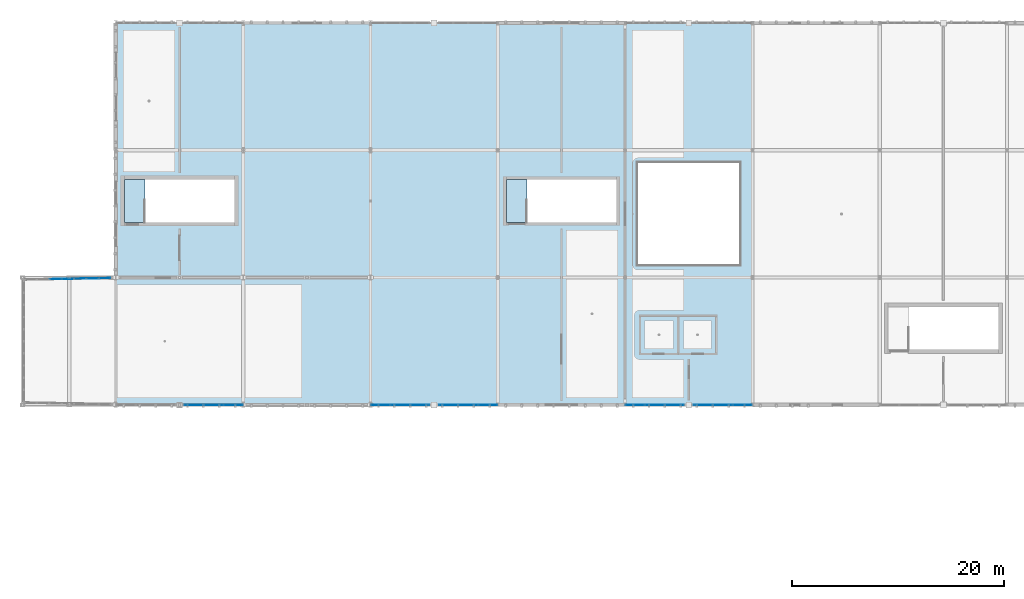
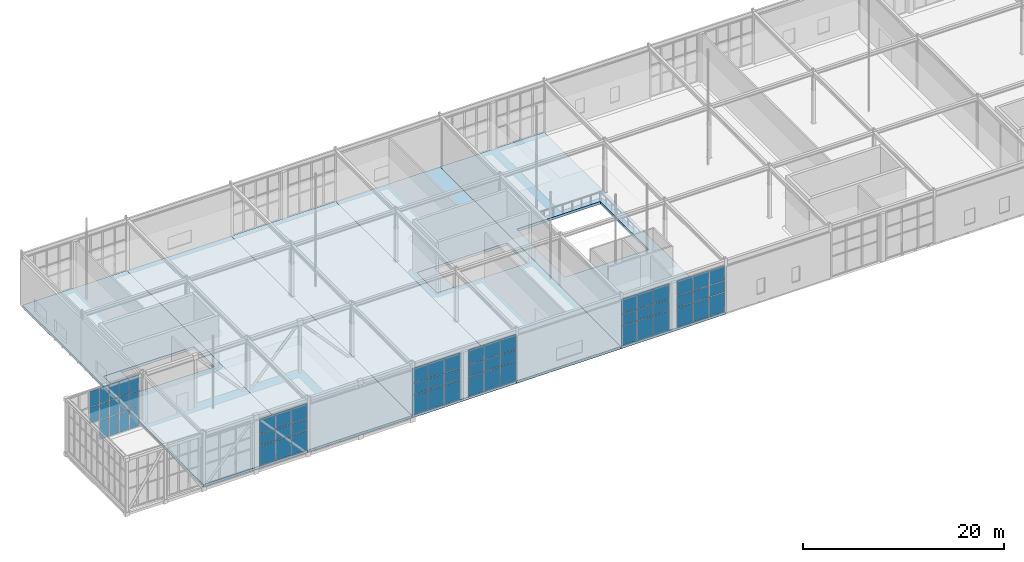
# One storey, part 32 of 62: 59 plates, 7 slabs, 6 elements without a shape of their own.
"""IFC4 building model written with IfcOpenShell, lengths in metres."""

import ifcopenshell
import ifcopenshell.guid

model = None  # the IFC model being written
_history = None  # IfcOwnerHistory: only IFC2X3 demands one
_inside = {}  # id of a spatial element -> (the spatial element, [elements in it])
_under = {}  # id of a project, library or spatial element -> (it, [spatial elements below it])
_declared = {}  # id of a project -> (the project, [libraries it declares])
_typed = {}  # id of a type object -> (the type object, [elements of that type])
_made_of = {}  # id of a material, layer set ... -> (it, [elements and type objects made of it])


def new_model(schema):
    """Start an empty IFC model of exactly this schema.

    Asked for "IFC4X3", IfcOpenShell would pick the latest addendum, in which some entities
    have other attributes; the version numbers below select the first issue.
    IFC2X3 requires an IfcOwnerHistory on every rooted entity: one is made here for all.
    """
    global model, _history
    if schema == "IFC4X3":
        model = ifcopenshell.file(schema_version=(4, 3, 0, 0))
    else:
        model = ifcopenshell.file(schema=schema)
    _inside.clear()
    _under.clear()
    _declared.clear()
    _typed.clear()
    _made_of.clear()
    _history = None
    if model.schema == "IFC2X3":
        org = make("IfcOrganization", Name="unknown")
        user = make(
            "IfcPersonAndOrganization",
            ThePerson=make("IfcPerson", FamilyName="unknown"),
            TheOrganization=org,
        )
        app = make(
            "IfcApplication",
            ApplicationDeveloper=org,
            Version="unknown",
            ApplicationFullName="unknown",
            ApplicationIdentifier="unknown",
        )
        _history = make(
            "IfcOwnerHistory",
            OwningUser=user,
            OwningApplication=app,
            ChangeAction="ADDED",
            CreationDate=0,
        )
    return model


def make(cls, **values):
    """One entity of the class cls with the attributes given. An attribute that is None is left unset."""
    return model.create_entity(
        cls, **{name: value for name, value in values.items() if value is not None}
    )


def rooted(cls, **values):
    """An entity with a GlobalId (a new one), such as an element, a storey or a relation."""
    return make(cls, GlobalId=ifcopenshell.guid.new(), OwnerHistory=_history, **values)


def si_unit(unit_type, name, prefix=None):
    """IfcSIUnit, for example si_unit("LENGTHUNIT", "METRE", prefix="MILLI")."""
    return make("IfcSIUnit", UnitType=unit_type, Prefix=prefix, Name=name)


def assignment(units):
    """IfcUnitAssignment: the units of a project."""
    return None if units is None else make("IfcUnitAssignment", Units=units)


def point(xyz):
    """IfcCartesianPoint."""
    return None if xyz is None else make("IfcCartesianPoint", Coordinates=xyz)


def direction(xyz):
    """IfcDirection."""
    return None if xyz is None else make("IfcDirection", DirectionRatios=xyz)


def frame(location, z_axis=None, x_axis=None):
    """IfcAxis2Placement3D, a coordinate frame: its origin and axes. An axis left out is left unset."""
    return make(
        "IfcAxis2Placement3D",
        Location=point(location),
        Axis=direction(z_axis),
        RefDirection=direction(x_axis),
    )


def frame_2d(location, x_axis=None):
    """IfcAxis2Placement2D, a coordinate frame in the plane: its origin and x axis."""
    return make(
        "IfcAxis2Placement2D", Location=point(location), RefDirection=direction(x_axis)
    )


def origin():
    """The frame at (0, 0, 0) with its axes left unset."""
    return frame((0.0, 0.0, 0.0))


def origin_2d():
    """The frame at (0, 0) in the plane with its x axis left unset."""
    return frame_2d((0.0, 0.0))


def place(relative_to, where):
    """IfcLocalPlacement: puts the frame where relative to a parent placement (None: the world)."""
    return make(
        "IfcLocalPlacement", PlacementRelTo=relative_to, RelativePlacement=where
    )


def context(
    kind, dimensions, precision=None, world=None, true_north=None, identifier=None
):
    """IfcGeometricRepresentationContext, for example the 3D "Model" context."""
    return make(
        "IfcGeometricRepresentationContext",
        ContextIdentifier=identifier,
        ContextType=kind,
        CoordinateSpaceDimension=dimensions,
        Precision=precision,
        WorldCoordinateSystem=world,
        TrueNorth=true_north,
    )


def subcontext(parent, identifier, kind, view, scale=None):
    """IfcGeometricRepresentationSubContext, for example "Body" below "Model"."""
    return make(
        "IfcGeometricRepresentationSubContext",
        ContextIdentifier=identifier,
        ContextType=kind,
        ParentContext=parent,
        TargetScale=scale,
        TargetView=view,
    )


def project(units=None, contexts=None):
    """IfcProject with its units and contexts."""
    return rooted(
        "IfcProject",
        Name="project",
        RepresentationContexts=contexts,
        UnitsInContext=assignment(units),
    )


def spatial(cls, under=None, at=None, **own):
    """A site, building, storey or space (cls), placed at a placement, below another one or the project."""
    s = rooted(cls, ObjectPlacement=at, **own)
    if under is not None:
        _under.setdefault(under.id(), (under, []))[1].append(s)
    return s


def polyline(points):
    """IfcPolyline through the points."""
    return make("IfcPolyline", Points=[point(p) for p in points])


def profile(cls, at=None, kind="AREA", **sizes):
    """A parametric profile (cls). Its sizes go by their IFC names, for example OverallWidth=200.0."""
    return make(cls, ProfileType=kind, Position=at, **sizes)


def rectangle(**sizes):
    """IfcRectangleProfileDef."""
    return profile("IfcRectangleProfileDef", **sizes)


def outline(outer, holes=None, kind="AREA"):
    """IfcArbitraryClosedProfileDef: a profile drawn as a closed curve; with holes, ...WithVoids."""
    if holes is None:
        return make("IfcArbitraryClosedProfileDef", ProfileType=kind, OuterCurve=outer)
    return make(
        "IfcArbitraryProfileDefWithVoids",
        ProfileType=kind,
        OuterCurve=outer,
        InnerCurves=holes,
    )


def extrude(swept, where, along, depth):
    """IfcExtrudedAreaSolid: the profile swept, set in the frame where, extruded along a direction by depth."""
    return make(
        "IfcExtrudedAreaSolid",
        SweptArea=swept,
        Position=where,
        ExtrudedDirection=direction(along),
        Depth=depth,
    )


def shape(context_of_items, identifier, shape_type, items):
    """IfcShapeRepresentation: the items that make up one representation, for example the "Body"."""
    return make(
        "IfcShapeRepresentation",
        ContextOfItems=context_of_items,
        RepresentationIdentifier=identifier,
        RepresentationType=shape_type,
        Items=items,
    )


def material(Name=None, Category=None):
    """IfcMaterial."""
    return make("IfcMaterial", Name=Name, Category=Category)


def layer(
    of_material, thickness, ventilated=None, Name=None, Category=None, Priority=None
):
    """IfcMaterialLayer: one layer of a wall or slab, of a material (None: an air gap)."""
    return make(
        "IfcMaterialLayer",
        Material=of_material,
        LayerThickness=thickness,
        IsVentilated=ventilated,
        Name=Name,
        Category=Category,
        Priority=Priority,
    )


def layer_set(layers, Name=None):
    """IfcMaterialLayerSet."""
    return make("IfcMaterialLayerSet", MaterialLayers=layers, LayerSetName=Name)


def made_of(thing, what):
    """Note that an element or type object is made of a material, layer set ...; save() writes the relation."""
    if what is not None:
        _made_of.setdefault(what.id(), (what, []))[1].append(thing)
    return thing


def type_object(cls, material=None, **own):
    """A type object (cls), such as IfcWallType, which elements share."""
    return made_of(rooted(cls, **own), material)


def element(
    cls,
    number,
    at=None,
    inside=None,
    cuts=None,
    type_object=None,
    material=None,
    context=None,
    identifier="Body",
    shape_type=None,
    held_by="IfcProductDefinitionShape",
    body=None,
    shapes=None,
    **own,
):
    """One element of the class cls, such as IfcWall. Its Tag is "e" and its number.

    at: its placement. inside: the storey or other place that contains it. cuts: it is an
    opening in that element (IfcRelVoidsElement). A single representation is given by context,
    identifier, shape_type and body (its items); several are given by shapes. held_by: the class
    of the entity that holds the representations. save() writes the other relations.
    """
    e = rooted(cls, Tag="e%d" % number, ObjectPlacement=at, **own)
    if body is not None:
        shapes = [shape(context, identifier, shape_type, body)]
    if shapes is not None:
        e.Representation = make(held_by, Representations=shapes)
    if inside is not None:
        _inside.setdefault(inside.id(), (inside, []))[1].append(e)
    if cuts is not None:
        rooted(
            "IfcRelVoidsElement", RelatingBuildingElement=cuts, RelatedOpeningElement=e
        )
    if type_object is not None:
        _typed.setdefault(type_object.id(), (type_object, []))[1].append(e)
    return made_of(e, material)


def aggregate(whole, parts):
    """IfcRelAggregates: a whole, such as a stair, and the parts it consists of."""
    return rooted("IfcRelAggregates", RelatingObject=whole, RelatedObjects=parts)


def save(model, path):
    """Write the relations noted so far, then the file.

    IfcRelAggregates (storeys below a building ...), IfcRelContainedInSpatialStructure (elements
    in a storey), IfcRelDefinesByType, IfcRelAssociatesMaterial and IfcRelDeclares: one each for
    every whole, place, type object, material and project.
    """
    for whole, parts in _under.values():
        aggregate(whole, parts)
    for where, things in _inside.values():
        rooted(
            "IfcRelContainedInSpatialStructure",
            RelatedElements=things,
            RelatingStructure=where,
        )
    for kind, things in _typed.values():
        rooted("IfcRelDefinesByType", RelatedObjects=things, RelatingType=kind)
    for what, things in _made_of.values():
        rooted("IfcRelAssociatesMaterial", RelatedObjects=things, RelatingMaterial=what)
    for by, libraries in _declared.values():
        rooted("IfcRelDeclares", RelatingContext=by, RelatedDefinitions=libraries)
    model.write(path)


model = new_model("IFC4")

# Units and contexts
model_context = context("Model", 3, precision=1e-05, world=origin(), true_north=direction((0.0, 1.0)))
body_context = subcontext(model_context, "Body", "Model", "MODEL_VIEW")
ifc_project = project(units=[si_unit("LENGTHUNIT", "METRE"), si_unit("AREAUNIT", "SQUARE_METRE"), si_unit("VOLUMEUNIT", "CUBIC_METRE"), si_unit("PLANEANGLEUNIT", "RADIAN"), si_unit("MASSUNIT", "GRAM", prefix="KILO")], contexts=[model_context])

# Site, building, storey
site_placement = place(None, origin())
site = spatial("IfcSite", under=ifc_project, at=site_placement, CompositionType="ELEMENT")
building_placement = place(site_placement, origin())
building = spatial("IfcBuilding", under=site, at=building_placement, Name="Zlatogorsky Bluff Art Gallery", CompositionType="ELEMENT")
storey_placement = place(building_placement, frame((0.0, 0.0, 16.800048828125)))
storey = spatial("IfcBuildingStorey", under=building, at=storey_placement, Name="L03", CompositionType="ELEMENT", Elevation=16.800048828125)

# Curtain wall, plates
ifc_material_1 = material(Name="Anodised Bronze Aluminium and Low-Iron Triple Glazing", Category="aluminium")
ifc_layer_1 = layer(ifc_material_1, 0.219970703125)
ifc_layer_set_1 = layer_set([ifc_layer_1], Name="Curtain Wall CW-04")
curtain_wall_type_1 = type_object("IfcCurtainWallType", Name="Curtain Wall CW-04", PredefinedType="USERDEFINED", material=ifc_layer_set_1)
curtain_wall_1_placement = place(storey_placement, origin())
curtain_wall_1 = element("IfcCurtainWall", 1, at=curtain_wall_1_placement, inside=storey, type_object=curtain_wall_type_1, Name="Unitised curtain wall CW-04 L03 S 0.8-B", ObjectType="CURTAIN WALL", PredefinedType="USERDEFINED")
ifc_material_2 = material(Name="Low-Iron Laminated Triple Glazing", Category="glass")
ifc_layer_2 = layer(ifc_material_2, 0.035888671875)
ifc_layer_set_2 = layer_set([ifc_layer_2], Name="Glazed Curtain Panel CWP-01")
plate_type = type_object("IfcPlateType", Name="Glazed Curtain Panel CWP-01", PredefinedType="CURTAIN_PANEL", material=ifc_layer_set_2)
plate_1_placement = place(storey_placement, frame((7.3662109375, 84.0, 0.06494140625), z_axis=(0.0, 0.0, 1.0), x_axis=(1.0, 0.0, 0.0)))
plate_1 = element("IfcPlate", 2, at=plate_1_placement, type_object=plate_type, Name="CW-04 panel 1.1", PredefinedType="CURTAIN_PANEL", context=body_context, shape_type="SweptSolid", body=[
    extrude(rectangle(XDim=1.762451171875, YDim=0.035888671875, at=origin_2d()), origin(), (0.0, 0.0, 1.0), 2.3525390625),
])
plate_2_placement = place(storey_placement, frame((7.3662109375, 84.0, 2.482421875), z_axis=(0.0, 0.0, 1.0), x_axis=(1.0, 0.0, 0.0)))
plate_2 = element("IfcPlate", 3, at=plate_2_placement, type_object=plate_type, Name="CW-04 panel 1.2", PredefinedType="CURTAIN_PANEL", context=body_context, shape_type="SweptSolid", body=[
    extrude(rectangle(XDim=1.762451171875, YDim=0.035888671875, at=origin_2d()), origin(), (0.0, 0.0, 1.0), 1.3349609375),
])
plate_3_placement = place(storey_placement, frame((7.3662109375, 84.0, 3.88232421875), z_axis=(0.0, 0.0, 1.0), x_axis=(1.0, 0.0, 0.0)))
plate_3 = element("IfcPlate", 4, at=plate_3_placement, type_object=plate_type, Name="CW-04 panel 1.3", PredefinedType="CURTAIN_PANEL", context=body_context, shape_type="SweptSolid", body=[
    extrude(rectangle(XDim=1.762451171875, YDim=0.035888671875, at=origin_2d()), origin(), (0.0, 0.0, 1.0), 1.802490234375),
])
plate_4_placement = place(storey_placement, frame((9.2099609375, 84.0, 0.06494140625), z_axis=(0.0, 0.0, 1.0), x_axis=(1.0, 0.0, 0.0)))
plate_4 = element("IfcPlate", 5, at=plate_4_placement, type_object=plate_type, Name="CW-04 panel 2.1", PredefinedType="CURTAIN_PANEL", context=body_context, shape_type="SweptSolid", body=[
    extrude(rectangle(XDim=1.794921875, YDim=0.035888671875, at=origin_2d()), origin(), (0.0, 0.0, 1.0), 2.3525390625),
])
plate_5_placement = place(storey_placement, frame((9.2099609375, 84.0, 2.482421875), z_axis=(0.0, 0.0, 1.0), x_axis=(1.0, 0.0, 0.0)))
plate_5 = element("IfcPlate", 6, at=plate_5_placement, type_object=plate_type, Name="CW-04 panel 2.2", PredefinedType="CURTAIN_PANEL", context=body_context, shape_type="SweptSolid", body=[
    extrude(rectangle(XDim=1.794921875, YDim=0.035888671875, at=origin_2d()), origin(), (0.0, 0.0, 1.0), 1.3349609375),
])
plate_6_placement = place(storey_placement, frame((9.2099609375, 84.0, 3.88232421875), z_axis=(0.0, 0.0, 1.0), x_axis=(1.0, 0.0, 0.0)))
plate_6 = element("IfcPlate", 7, at=plate_6_placement, type_object=plate_type, Name="CW-04 panel 2.3", PredefinedType="CURTAIN_PANEL", context=body_context, shape_type="SweptSolid", body=[
    extrude(rectangle(XDim=1.794921875, YDim=0.035888671875, at=origin_2d()), origin(), (0.0, 0.0, 1.0), 1.802490234375),
])
plate_7_placement = place(storey_placement, frame((11.0537109375, 84.0, 0.06494140625), z_axis=(0.0, 0.0, 1.0), x_axis=(1.0, 0.0, 0.0)))
plate_7 = element("IfcPlate", 8, at=plate_7_placement, type_object=plate_type, Name="CW-04 panel 3.1", PredefinedType="CURTAIN_PANEL", context=body_context, shape_type="SweptSolid", body=[
    extrude(rectangle(XDim=1.762451171875, YDim=0.035888671875, at=origin_2d()), origin(), (0.0, 0.0, 1.0), 2.3525390625),
])
plate_8_placement = place(storey_placement, frame((11.0537109375, 84.0, 2.482421875), z_axis=(0.0, 0.0, 1.0), x_axis=(1.0, 0.0, 0.0)))
plate_8 = element("IfcPlate", 9, at=plate_8_placement, type_object=plate_type, Name="CW-04 panel 3.2", PredefinedType="CURTAIN_PANEL", context=body_context, shape_type="SweptSolid", body=[
    extrude(rectangle(XDim=1.762451171875, YDim=0.035888671875, at=origin_2d()), origin(), (0.0, 0.0, 1.0), 1.3349609375),
])
plate_9_placement = place(storey_placement, frame((11.0537109375, 84.0, 3.88232421875), z_axis=(0.0, 0.0, 1.0), x_axis=(1.0, 0.0, 0.0)))
plate_9 = element("IfcPlate", 10, at=plate_9_placement, type_object=plate_type, Name="CW-04 panel 3.3", PredefinedType="CURTAIN_PANEL", context=body_context, shape_type="SweptSolid", body=[
    extrude(rectangle(XDim=1.762451171875, YDim=0.035888671875, at=origin_2d()), origin(), (0.0, 0.0, 1.0), 1.802490234375),
])
aggregate(curtain_wall_1, [plate_1, plate_2, plate_3, plate_4, plate_5, plate_6, plate_7, plate_8, plate_9])

curtain_wall_2_placement = place(storey_placement, origin())
curtain_wall_2 = element("IfcCurtainWall", 11, at=curtain_wall_2_placement, inside=storey, type_object=curtain_wall_type_1, Name="Unitised curtain wall CW-04 L03 S 2.8-A", ObjectType="CURTAIN WALL", PredefinedType="USERDEFINED")
plate_10_placement = place(storey_placement, frame((24.9462890625, 84.0, 0.06494140625), z_axis=(0.0, 0.0, 1.0), x_axis=(1.0, 0.0, 0.0)))
plate_10 = element("IfcPlate", 12, at=plate_10_placement, type_object=plate_type, Name="CW-04 panel 1.1", PredefinedType="CURTAIN_PANEL", context=body_context, shape_type="SweptSolid", body=[
    extrude(rectangle(XDim=1.762451171875, YDim=0.035888671875, at=origin_2d()), origin(), (0.0, 0.0, 1.0), 2.3525390625),
])
plate_11_placement = place(storey_placement, frame((24.9462890625, 84.0, 2.482421875), z_axis=(0.0, 0.0, 1.0), x_axis=(1.0, 0.0, 0.0)))
plate_11 = element("IfcPlate", 13, at=plate_11_placement, type_object=plate_type, Name="CW-04 panel 1.2", PredefinedType="CURTAIN_PANEL", context=body_context, shape_type="SweptSolid", body=[
    extrude(rectangle(XDim=1.762451171875, YDim=0.035888671875, at=origin_2d()), origin(), (0.0, 0.0, 1.0), 1.3349609375),
])
plate_12_placement = place(storey_placement, frame((24.9462890625, 84.0, 3.88232421875), z_axis=(0.0, 0.0, 1.0), x_axis=(1.0, 0.0, 0.0)))
plate_12 = element("IfcPlate", 14, at=plate_12_placement, type_object=plate_type, Name="CW-04 panel 1.3", PredefinedType="CURTAIN_PANEL", context=body_context, shape_type="SweptSolid", body=[
    extrude(rectangle(XDim=1.762451171875, YDim=0.035888671875, at=origin_2d()), origin(), (0.0, 0.0, 1.0), 1.802490234375),
])
plate_13_placement = place(storey_placement, frame((26.7900390625, 84.0, 0.06494140625), z_axis=(0.0, 0.0, 1.0), x_axis=(1.0, 0.0, 0.0)))
plate_13 = element("IfcPlate", 15, at=plate_13_placement, type_object=plate_type, Name="CW-04 panel 2.1", PredefinedType="CURTAIN_PANEL", context=body_context, shape_type="SweptSolid", body=[
    extrude(rectangle(XDim=1.794921875, YDim=0.035888671875, at=origin_2d()), origin(), (0.0, 0.0, 1.0), 2.3525390625),
])
plate_14_placement = place(storey_placement, frame((26.7900390625, 84.0, 2.482421875), z_axis=(0.0, 0.0, 1.0), x_axis=(1.0, 0.0, 0.0)))
plate_14 = element("IfcPlate", 16, at=plate_14_placement, type_object=plate_type, Name="CW-04 panel 2.2", PredefinedType="CURTAIN_PANEL", context=body_context, shape_type="SweptSolid", body=[
    extrude(rectangle(XDim=1.794921875, YDim=0.035888671875, at=origin_2d()), origin(), (0.0, 0.0, 1.0), 1.3349609375),
])
plate_15_placement = place(storey_placement, frame((26.7900390625, 84.0, 3.88232421875), z_axis=(0.0, 0.0, 1.0), x_axis=(1.0, 0.0, 0.0)))
plate_15 = element("IfcPlate", 17, at=plate_15_placement, type_object=plate_type, Name="CW-04 panel 2.3", PredefinedType="CURTAIN_PANEL", context=body_context, shape_type="SweptSolid", body=[
    extrude(rectangle(XDim=1.794921875, YDim=0.035888671875, at=origin_2d()), origin(), (0.0, 0.0, 1.0), 1.802490234375),
])
plate_16_placement = place(storey_placement, frame((28.6337890625, 84.0, 0.06494140625), z_axis=(0.0, 0.0, 1.0), x_axis=(1.0, 0.0, 0.0)))
plate_16 = element("IfcPlate", 18, at=plate_16_placement, type_object=plate_type, Name="CW-04 panel 3.1", PredefinedType="CURTAIN_PANEL", context=body_context, shape_type="SweptSolid", body=[
    extrude(rectangle(XDim=1.762451171875, YDim=0.035888671875, at=origin_2d()), origin(), (0.0, 0.0, 1.0), 2.3525390625),
])
plate_17_placement = place(storey_placement, frame((28.6337890625, 84.0, 2.482421875), z_axis=(0.0, 0.0, 1.0), x_axis=(1.0, 0.0, 0.0)))
plate_17 = element("IfcPlate", 19, at=plate_17_placement, type_object=plate_type, Name="CW-04 panel 3.2", PredefinedType="CURTAIN_PANEL", context=body_context, shape_type="SweptSolid", body=[
    extrude(rectangle(XDim=1.762451171875, YDim=0.035888671875, at=origin_2d()), origin(), (0.0, 0.0, 1.0), 1.3349609375),
])
plate_18_placement = place(storey_placement, frame((28.6337890625, 84.0, 3.88232421875), z_axis=(0.0, 0.0, 1.0), x_axis=(1.0, 0.0, 0.0)))
plate_18 = element("IfcPlate", 20, at=plate_18_placement, type_object=plate_type, Name="CW-04 panel 3.3", PredefinedType="CURTAIN_PANEL", context=body_context, shape_type="SweptSolid", body=[
    extrude(rectangle(XDim=1.762451171875, YDim=0.035888671875, at=origin_2d()), origin(), (0.0, 0.0, 1.0), 1.802490234375),
])
aggregate(curtain_wall_2, [plate_10, plate_11, plate_12, plate_13, plate_14, plate_15, plate_16, plate_17, plate_18])

curtain_wall_3_placement = place(storey_placement, origin())
curtain_wall_3 = element("IfcCurtainWall", 21, at=curtain_wall_3_placement, inside=storey, type_object=curtain_wall_type_1, Name="Unitised curtain wall CW-04 L03 S 2.8-B", ObjectType="CURTAIN WALL", PredefinedType="USERDEFINED")
plate_19_placement = place(storey_placement, frame((31.3662109375, 84.0, 0.06494140625), z_axis=(0.0, 0.0, 1.0), x_axis=(1.0, 0.0, 0.0)))
plate_19 = element("IfcPlate", 22, at=plate_19_placement, type_object=plate_type, Name="CW-04 panel 1.1", PredefinedType="CURTAIN_PANEL", context=body_context, shape_type="SweptSolid", body=[
    extrude(rectangle(XDim=1.762451171875, YDim=0.035888671875, at=origin_2d()), origin(), (0.0, 0.0, 1.0), 2.3525390625),
])
plate_20_placement = place(storey_placement, frame((31.3662109375, 84.0, 2.482421875), z_axis=(0.0, 0.0, 1.0), x_axis=(1.0, 0.0, 0.0)))
plate_20 = element("IfcPlate", 23, at=plate_20_placement, type_object=plate_type, Name="CW-04 panel 1.2", PredefinedType="CURTAIN_PANEL", context=body_context, shape_type="SweptSolid", body=[
    extrude(rectangle(XDim=1.762451171875, YDim=0.035888671875, at=origin_2d()), origin(), (0.0, 0.0, 1.0), 1.3349609375),
])
plate_21_placement = place(storey_placement, frame((31.3662109375, 84.0, 3.88232421875), z_axis=(0.0, 0.0, 1.0), x_axis=(1.0, 0.0, 0.0)))
plate_21 = element("IfcPlate", 24, at=plate_21_placement, type_object=plate_type, Name="CW-04 panel 1.3", PredefinedType="CURTAIN_PANEL", context=body_context, shape_type="SweptSolid", body=[
    extrude(rectangle(XDim=1.762451171875, YDim=0.035888671875, at=origin_2d()), origin(), (0.0, 0.0, 1.0), 1.802490234375),
])
plate_22_placement = place(storey_placement, frame((33.2099609375, 84.0, 0.06494140625), z_axis=(0.0, 0.0, 1.0), x_axis=(1.0, 0.0, 0.0)))
plate_22 = element("IfcPlate", 25, at=plate_22_placement, type_object=plate_type, Name="CW-04 panel 2.1", PredefinedType="CURTAIN_PANEL", context=body_context, shape_type="SweptSolid", body=[
    extrude(rectangle(XDim=1.794921875, YDim=0.035888671875, at=origin_2d()), origin(), (0.0, 0.0, 1.0), 2.3525390625),
])
plate_23_placement = place(storey_placement, frame((33.2099609375, 84.0, 2.482421875), z_axis=(0.0, 0.0, 1.0), x_axis=(1.0, 0.0, 0.0)))
plate_23 = element("IfcPlate", 26, at=plate_23_placement, type_object=plate_type, Name="CW-04 panel 2.2", PredefinedType="CURTAIN_PANEL", context=body_context, shape_type="SweptSolid", body=[
    extrude(rectangle(XDim=1.794921875, YDim=0.035888671875, at=origin_2d()), origin(), (0.0, 0.0, 1.0), 1.3349609375),
])
plate_24_placement = place(storey_placement, frame((33.2099609375, 84.0, 3.88232421875), z_axis=(0.0, 0.0, 1.0), x_axis=(1.0, 0.0, 0.0)))
plate_24 = element("IfcPlate", 27, at=plate_24_placement, type_object=plate_type, Name="CW-04 panel 2.3", PredefinedType="CURTAIN_PANEL", context=body_context, shape_type="SweptSolid", body=[
    extrude(rectangle(XDim=1.794921875, YDim=0.035888671875, at=origin_2d()), origin(), (0.0, 0.0, 1.0), 1.802490234375),
])
plate_25_placement = place(storey_placement, frame((35.0537109375, 84.0, 0.06494140625), z_axis=(0.0, 0.0, 1.0), x_axis=(1.0, 0.0, 0.0)))
plate_25 = element("IfcPlate", 28, at=plate_25_placement, type_object=plate_type, Name="CW-04 panel 3.1", PredefinedType="CURTAIN_PANEL", context=body_context, shape_type="SweptSolid", body=[
    extrude(rectangle(XDim=1.762451171875, YDim=0.035888671875, at=origin_2d()), origin(), (0.0, 0.0, 1.0), 2.3525390625),
])
plate_26_placement = place(storey_placement, frame((35.0537109375, 84.0, 2.482421875), z_axis=(0.0, 0.0, 1.0), x_axis=(1.0, 0.0, 0.0)))
plate_26 = element("IfcPlate", 29, at=plate_26_placement, type_object=plate_type, Name="CW-04 panel 3.2", PredefinedType="CURTAIN_PANEL", context=body_context, shape_type="SweptSolid", body=[
    extrude(rectangle(XDim=1.762451171875, YDim=0.035888671875, at=origin_2d()), origin(), (0.0, 0.0, 1.0), 1.3349609375),
])
plate_27_placement = place(storey_placement, frame((35.0537109375, 84.0, 3.88232421875), z_axis=(0.0, 0.0, 1.0), x_axis=(1.0, 0.0, 0.0)))
plate_27 = element("IfcPlate", 30, at=plate_27_placement, type_object=plate_type, Name="CW-04 panel 3.3", PredefinedType="CURTAIN_PANEL", context=body_context, shape_type="SweptSolid", body=[
    extrude(rectangle(XDim=1.762451171875, YDim=0.035888671875, at=origin_2d()), origin(), (0.0, 0.0, 1.0), 1.802490234375),
])
aggregate(curtain_wall_3, [plate_19, plate_20, plate_21, plate_22, plate_23, plate_24, plate_25, plate_26, plate_27])

curtain_wall_4_placement = place(storey_placement, origin())
curtain_wall_4 = element("IfcCurtainWall", 31, at=curtain_wall_4_placement, inside=storey, type_object=curtain_wall_type_1, Name="Unitised curtain wall CW-04 L03 S 4.8-A", ObjectType="CURTAIN WALL", PredefinedType="USERDEFINED")
plate_28_placement = place(storey_placement, frame((48.9462890625, 84.0, 0.06494140625), z_axis=(0.0, 0.0, 1.0), x_axis=(1.0, 0.0, 0.0)))
plate_28 = element("IfcPlate", 32, at=plate_28_placement, type_object=plate_type, Name="CW-04 panel 1.1", PredefinedType="CURTAIN_PANEL", context=body_context, shape_type="SweptSolid", body=[
    extrude(rectangle(XDim=1.762451171875, YDim=0.035888671875, at=origin_2d()), origin(), (0.0, 0.0, 1.0), 2.3525390625),
])
plate_29_placement = place(storey_placement, frame((48.9462890625, 84.0, 2.482421875), z_axis=(0.0, 0.0, 1.0), x_axis=(1.0, 0.0, 0.0)))
plate_29 = element("IfcPlate", 33, at=plate_29_placement, type_object=plate_type, Name="CW-04 panel 1.2", PredefinedType="CURTAIN_PANEL", context=body_context, shape_type="SweptSolid", body=[
    extrude(rectangle(XDim=1.762451171875, YDim=0.035888671875, at=origin_2d()), origin(), (0.0, 0.0, 1.0), 1.3349609375),
])
plate_30_placement = place(storey_placement, frame((48.9462890625, 84.0, 3.88232421875), z_axis=(0.0, 0.0, 1.0), x_axis=(1.0, 0.0, 0.0)))
plate_30 = element("IfcPlate", 34, at=plate_30_placement, type_object=plate_type, Name="CW-04 panel 1.3", PredefinedType="CURTAIN_PANEL", context=body_context, shape_type="SweptSolid", body=[
    extrude(rectangle(XDim=1.762451171875, YDim=0.035888671875, at=origin_2d()), origin(), (0.0, 0.0, 1.0), 1.802490234375),
])
plate_31_placement = place(storey_placement, frame((50.7900390625, 84.0, 0.06494140625), z_axis=(0.0, 0.0, 1.0), x_axis=(1.0, 0.0, 0.0)))
plate_31 = element("IfcPlate", 35, at=plate_31_placement, type_object=plate_type, Name="CW-04 panel 2.1", PredefinedType="CURTAIN_PANEL", context=body_context, shape_type="SweptSolid", body=[
    extrude(rectangle(XDim=1.794921875, YDim=0.035888671875, at=origin_2d()), origin(), (0.0, 0.0, 1.0), 2.3525390625),
])
plate_32_placement = place(storey_placement, frame((50.7900390625, 84.0, 2.482421875), z_axis=(0.0, 0.0, 1.0), x_axis=(1.0, 0.0, 0.0)))
plate_32 = element("IfcPlate", 36, at=plate_32_placement, type_object=plate_type, Name="CW-04 panel 2.2", PredefinedType="CURTAIN_PANEL", context=body_context, shape_type="SweptSolid", body=[
    extrude(rectangle(XDim=1.794921875, YDim=0.035888671875, at=origin_2d()), origin(), (0.0, 0.0, 1.0), 1.3349609375),
])
plate_33_placement = place(storey_placement, frame((50.7900390625, 84.0, 3.88232421875), z_axis=(0.0, 0.0, 1.0), x_axis=(1.0, 0.0, 0.0)))
plate_33 = element("IfcPlate", 37, at=plate_33_placement, type_object=plate_type, Name="CW-04 panel 2.3", PredefinedType="CURTAIN_PANEL", context=body_context, shape_type="SweptSolid", body=[
    extrude(rectangle(XDim=1.794921875, YDim=0.035888671875, at=origin_2d()), origin(), (0.0, 0.0, 1.0), 1.802490234375),
])
plate_34_placement = place(storey_placement, frame((52.6337890625, 84.0, 0.06494140625), z_axis=(0.0, 0.0, 1.0), x_axis=(1.0, 0.0, 0.0)))
plate_34 = element("IfcPlate", 38, at=plate_34_placement, type_object=plate_type, Name="CW-04 panel 3.1", PredefinedType="CURTAIN_PANEL", context=body_context, shape_type="SweptSolid", body=[
    extrude(rectangle(XDim=1.762451171875, YDim=0.035888671875, at=origin_2d()), origin(), (0.0, 0.0, 1.0), 2.3525390625),
])
plate_35_placement = place(storey_placement, frame((52.6337890625, 84.0, 2.482421875), z_axis=(0.0, 0.0, 1.0), x_axis=(1.0, 0.0, 0.0)))
plate_35 = element("IfcPlate", 39, at=plate_35_placement, type_object=plate_type, Name="CW-04 panel 3.2", PredefinedType="CURTAIN_PANEL", context=body_context, shape_type="SweptSolid", body=[
    extrude(rectangle(XDim=1.762451171875, YDim=0.035888671875, at=origin_2d()), origin(), (0.0, 0.0, 1.0), 1.3349609375),
])
plate_36_placement = place(storey_placement, frame((52.6337890625, 84.0, 3.88232421875), z_axis=(0.0, 0.0, 1.0), x_axis=(1.0, 0.0, 0.0)))
plate_36 = element("IfcPlate", 40, at=plate_36_placement, type_object=plate_type, Name="CW-04 panel 3.3", PredefinedType="CURTAIN_PANEL", context=body_context, shape_type="SweptSolid", body=[
    extrude(rectangle(XDim=1.762451171875, YDim=0.035888671875, at=origin_2d()), origin(), (0.0, 0.0, 1.0), 1.802490234375),
])
aggregate(curtain_wall_4, [plate_28, plate_29, plate_30, plate_31, plate_32, plate_33, plate_34, plate_35, plate_36])

curtain_wall_5_placement = place(storey_placement, origin())
curtain_wall_5 = element("IfcCurtainWall", 41, at=curtain_wall_5_placement, inside=storey, type_object=curtain_wall_type_1, Name="Unitised curtain wall CW-04 L03 S 4.8-B", ObjectType="CURTAIN WALL", PredefinedType="USERDEFINED")
plate_37_placement = place(storey_placement, frame((55.3662109375, 84.0, 0.06494140625), z_axis=(0.0, 0.0, 1.0), x_axis=(1.0, 0.0, 0.0)))
plate_37 = element("IfcPlate", 42, at=plate_37_placement, type_object=plate_type, Name="CW-04 panel 1.1", PredefinedType="CURTAIN_PANEL", context=body_context, shape_type="SweptSolid", body=[
    extrude(rectangle(XDim=1.762451171875, YDim=0.035888671875, at=origin_2d()), origin(), (0.0, 0.0, 1.0), 2.3525390625),
])
plate_38_placement = place(storey_placement, frame((55.3662109375, 84.0, 2.482421875), z_axis=(0.0, 0.0, 1.0), x_axis=(1.0, 0.0, 0.0)))
plate_38 = element("IfcPlate", 43, at=plate_38_placement, type_object=plate_type, Name="CW-04 panel 1.2", PredefinedType="CURTAIN_PANEL", context=body_context, shape_type="SweptSolid", body=[
    extrude(rectangle(XDim=1.762451171875, YDim=0.035888671875, at=origin_2d()), origin(), (0.0, 0.0, 1.0), 1.3349609375),
])
plate_39_placement = place(storey_placement, frame((55.3662109375, 84.0, 3.88232421875), z_axis=(0.0, 0.0, 1.0), x_axis=(1.0, 0.0, 0.0)))
plate_39 = element("IfcPlate", 44, at=plate_39_placement, type_object=plate_type, Name="CW-04 panel 1.3", PredefinedType="CURTAIN_PANEL", context=body_context, shape_type="SweptSolid", body=[
    extrude(rectangle(XDim=1.762451171875, YDim=0.035888671875, at=origin_2d()), origin(), (0.0, 0.0, 1.0), 1.802490234375),
])
plate_40_placement = place(storey_placement, frame((57.2099609375, 84.0, 0.06494140625), z_axis=(0.0, 0.0, 1.0), x_axis=(1.0, 0.0, 0.0)))
plate_40 = element("IfcPlate", 45, at=plate_40_placement, type_object=plate_type, Name="CW-04 panel 2.1", PredefinedType="CURTAIN_PANEL", context=body_context, shape_type="SweptSolid", body=[
    extrude(rectangle(XDim=1.794921875, YDim=0.035888671875, at=origin_2d()), origin(), (0.0, 0.0, 1.0), 2.3525390625),
])
plate_41_placement = place(storey_placement, frame((57.2099609375, 84.0, 2.482421875), z_axis=(0.0, 0.0, 1.0), x_axis=(1.0, 0.0, 0.0)))
plate_41 = element("IfcPlate", 46, at=plate_41_placement, type_object=plate_type, Name="CW-04 panel 2.2", PredefinedType="CURTAIN_PANEL", context=body_context, shape_type="SweptSolid", body=[
    extrude(rectangle(XDim=1.794921875, YDim=0.035888671875, at=origin_2d()), origin(), (0.0, 0.0, 1.0), 1.3349609375),
])
plate_42_placement = place(storey_placement, frame((57.2099609375, 84.0, 3.88232421875), z_axis=(0.0, 0.0, 1.0), x_axis=(1.0, 0.0, 0.0)))
plate_42 = element("IfcPlate", 47, at=plate_42_placement, type_object=plate_type, Name="CW-04 panel 2.3", PredefinedType="CURTAIN_PANEL", context=body_context, shape_type="SweptSolid", body=[
    extrude(rectangle(XDim=1.794921875, YDim=0.035888671875, at=origin_2d()), origin(), (0.0, 0.0, 1.0), 1.802490234375),
])
plate_43_placement = place(storey_placement, frame((59.0537109375, 84.0, 0.06494140625), z_axis=(0.0, 0.0, 1.0), x_axis=(1.0, 0.0, 0.0)))
plate_43 = element("IfcPlate", 48, at=plate_43_placement, type_object=plate_type, Name="CW-04 panel 3.1", PredefinedType="CURTAIN_PANEL", context=body_context, shape_type="SweptSolid", body=[
    extrude(rectangle(XDim=1.762451171875, YDim=0.035888671875, at=origin_2d()), origin(), (0.0, 0.0, 1.0), 2.3525390625),
])
plate_44_placement = place(storey_placement, frame((59.0537109375, 84.0, 2.482421875), z_axis=(0.0, 0.0, 1.0), x_axis=(1.0, 0.0, 0.0)))
plate_44 = element("IfcPlate", 49, at=plate_44_placement, type_object=plate_type, Name="CW-04 panel 3.2", PredefinedType="CURTAIN_PANEL", context=body_context, shape_type="SweptSolid", body=[
    extrude(rectangle(XDim=1.762451171875, YDim=0.035888671875, at=origin_2d()), origin(), (0.0, 0.0, 1.0), 1.3349609375),
])
plate_45_placement = place(storey_placement, frame((59.0537109375, 84.0, 3.88232421875), z_axis=(0.0, 0.0, 1.0), x_axis=(1.0, 0.0, 0.0)))
plate_45 = element("IfcPlate", 50, at=plate_45_placement, type_object=plate_type, Name="CW-04 panel 3.3", PredefinedType="CURTAIN_PANEL", context=body_context, shape_type="SweptSolid", body=[
    extrude(rectangle(XDim=1.762451171875, YDim=0.035888671875, at=origin_2d()), origin(), (0.0, 0.0, 1.0), 1.802490234375),
])
aggregate(curtain_wall_5, [plate_37, plate_38, plate_39, plate_40, plate_41, plate_42, plate_43, plate_44, plate_45])

ifc_layer_3 = layer(ifc_material_1, 0.179931640625)
ifc_layer_set_3 = layer_set([ifc_layer_3], Name="Curtain Wall CW-03")
curtain_wall_type_2 = type_object("IfcCurtainWallType", Name="Curtain Wall CW-03", PredefinedType="USERDEFINED", material=ifc_layer_set_3)
curtain_wall_6_placement = place(storey_placement, origin())
curtain_wall_6 = element("IfcCurtainWall", 51, at=curtain_wall_6_placement, inside=storey, type_object=curtain_wall_type_2, Name="Cantilevered lookout curtain wall N", ObjectType="CURTAIN WALL", PredefinedType="USERDEFINED")
plate_46_placement = place(storey_placement, frame((-1.0498046875, 95.93896484375, 0.06494140625), z_axis=(0.0, 0.0, 1.0), x_axis=(-0.999831500494, -0.018356759503, 0.0)))
plate_46 = element("IfcPlate", 52, at=plate_46_placement, type_object=plate_type, Name="CW-03 panel 1.1", PredefinedType="CURTAIN_PANEL", context=body_context, shape_type="SweptSolid", body=[
    extrude(rectangle(XDim=1.06982421875, YDim=0.035888671875, at=origin_2d()), origin(), (0.0, 0.0, 1.0), 2.302490234375),
])
plate_47_placement = place(storey_placement, frame((-1.0498046875, 95.93896484375, 2.432373046875), z_axis=(0.0, 0.0, 1.0), x_axis=(-0.999831500494, -0.018356759503, 0.0)))
plate_47 = element("IfcPlate", 53, at=plate_47_placement, type_object=plate_type, Name="CW-03 panel 1.2", PredefinedType="CURTAIN_PANEL", context=body_context, shape_type="SweptSolid", body=[
    extrude(rectangle(XDim=1.06982421875, YDim=0.035888671875, at=origin_2d()), origin(), (0.0, 0.0, 1.0), 1.93505859375),
])
plate_48_placement = place(storey_placement, frame((-1.0498046875, 95.93896484375, 4.4326171875), z_axis=(0.0, 0.0, 1.0), x_axis=(-0.999831500494, -0.018356759503, 0.0)))
plate_48 = element("IfcPlate", 54, at=plate_48_placement, type_object=plate_type, Name="CW-03 panel 1.3", PredefinedType="CURTAIN_PANEL", context=body_context, shape_type="SweptSolid", body=[
    extrude(rectangle(XDim=1.06982421875, YDim=0.035888671875, at=origin_2d()), origin(), (0.0, 0.0, 1.0), 1.882568359375),
])
plate_49_placement = place(storey_placement, frame((-2.20068359375, 95.91796875, 0.06494140625), z_axis=(0.0, 0.0, 1.0), x_axis=(-0.999831500494, -0.018356759503, 0.0)))
plate_49 = element("IfcPlate", 55, at=plate_49_placement, type_object=plate_type, Name="CW-03 panel 2.1", PredefinedType="CURTAIN_PANEL", context=body_context, shape_type="SweptSolid", body=[
    extrude(rectangle(XDim=1.102294921875, YDim=0.035888671875, at=origin_2d()), origin(), (0.0, 0.0, 1.0), 2.302490234375),
])
plate_50_placement = place(storey_placement, frame((-2.20068359375, 95.91796875, 2.432373046875), z_axis=(0.0, 0.0, 1.0), x_axis=(-0.999831500494, -0.018356759503, 0.0)))
plate_50 = element("IfcPlate", 56, at=plate_50_placement, type_object=plate_type, Name="CW-03 panel 2.2", PredefinedType="CURTAIN_PANEL", context=body_context, shape_type="SweptSolid", body=[
    extrude(rectangle(XDim=1.102294921875, YDim=0.035888671875, at=origin_2d()), origin(), (0.0, 0.0, 1.0), 1.93505859375),
])
plate_51_placement = place(storey_placement, frame((-2.20068359375, 95.91796875, 4.4326171875), z_axis=(0.0, 0.0, 1.0), x_axis=(-0.999831500494, -0.018356759503, 0.0)))
plate_51 = element("IfcPlate", 57, at=plate_51_placement, type_object=plate_type, Name="CW-03 panel 2.3", PredefinedType="CURTAIN_PANEL", context=body_context, shape_type="SweptSolid", body=[
    extrude(rectangle(XDim=1.102294921875, YDim=0.035888671875, at=origin_2d()), origin(), (0.0, 0.0, 1.0), 1.882568359375),
])
plate_52_placement = place(storey_placement, frame((-3.367919921875, 95.896484375, 0.06494140625), z_axis=(0.0, 0.0, 1.0), x_axis=(-0.999831500494, -0.018356759503, 0.0)))
plate_52 = element("IfcPlate", 58, at=plate_52_placement, type_object=plate_type, Name="CW-03 panel 3.1", PredefinedType="CURTAIN_PANEL", context=body_context, shape_type="SweptSolid", body=[
    extrude(rectangle(XDim=1.102294921875, YDim=0.035888671875, at=origin_2d()), origin(), (0.0, 0.0, 1.0), 2.302490234375),
])
plate_53_placement = place(storey_placement, frame((-3.367919921875, 95.896484375, 2.432373046875), z_axis=(0.0, 0.0, 1.0), x_axis=(-0.999831500494, -0.018356759503, 0.0)))
plate_53 = element("IfcPlate", 59, at=plate_53_placement, type_object=plate_type, Name="CW-03 panel 3.2", PredefinedType="CURTAIN_PANEL", context=body_context, shape_type="SweptSolid", body=[
    extrude(rectangle(XDim=1.102294921875, YDim=0.035888671875, at=origin_2d()), origin(), (0.0, 0.0, 1.0), 1.93505859375),
])
plate_54_placement = place(storey_placement, frame((-3.367919921875, 95.896484375, 4.4326171875), z_axis=(0.0, 0.0, 1.0), x_axis=(-0.999831500494, -0.018356759503, 0.0)))
plate_54 = element("IfcPlate", 60, at=plate_54_placement, type_object=plate_type, Name="CW-03 panel 3.3", PredefinedType="CURTAIN_PANEL", context=body_context, shape_type="SweptSolid", body=[
    extrude(rectangle(XDim=1.102294921875, YDim=0.035888671875, at=origin_2d()), origin(), (0.0, 0.0, 1.0), 1.882568359375),
])
plate_55_placement = place(storey_placement, frame((-4.534912109375, 95.875, 0.06494140625), z_axis=(0.0, 0.0, 1.0), x_axis=(-0.999831500494, -0.018356759503, 0.0)))
plate_55 = element("IfcPlate", 61, at=plate_55_placement, type_object=plate_type, Name="CW-03 panel 4.1", PredefinedType="CURTAIN_PANEL", context=body_context, shape_type="SweptSolid", body=[
    extrude(rectangle(XDim=1.102294921875, YDim=0.035888671875, at=origin_2d()), origin(), (0.0, 0.0, 1.0), 2.302490234375),
])
plate_56_placement = place(storey_placement, frame((-4.534912109375, 95.875, 2.432373046875), z_axis=(0.0, 0.0, 1.0), x_axis=(-0.999831500494, -0.018356759503, 0.0)))
plate_56 = element("IfcPlate", 62, at=plate_56_placement, type_object=plate_type, Name="CW-03 panel 4.2", PredefinedType="CURTAIN_PANEL", context=body_context, shape_type="SweptSolid", body=[
    extrude(rectangle(XDim=1.102294921875, YDim=0.035888671875, at=origin_2d()), origin(), (0.0, 0.0, 1.0), 1.93505859375),
])
plate_57_placement = place(storey_placement, frame((-4.534912109375, 95.875, 4.4326171875), z_axis=(0.0, 0.0, 1.0), x_axis=(-0.999831500494, -0.018356759503, 0.0)))
plate_57 = element("IfcPlate", 63, at=plate_57_placement, type_object=plate_type, Name="CW-03 panel 4.3", PredefinedType="CURTAIN_PANEL", context=body_context, shape_type="SweptSolid", body=[
    extrude(rectangle(XDim=1.102294921875, YDim=0.035888671875, at=origin_2d()), origin(), (0.0, 0.0, 1.0), 1.882568359375),
])
plate_58_placement = place(storey_placement, frame((-5.7021484375, 95.853515625, 2.432373046875), z_axis=(0.0, 0.0, 1.0), x_axis=(-0.999831500494, -0.018356759503, 0.0)))
plate_58 = element("IfcPlate", 64, at=plate_58_placement, type_object=plate_type, Name="CW-03 panel 5.2", PredefinedType="CURTAIN_PANEL", context=body_context, shape_type="SweptSolid", body=[
    extrude(rectangle(XDim=1.102294921875, YDim=0.035888671875, at=origin_2d()), origin(), (0.0, 0.0, 1.0), 1.93505859375),
])
plate_59_placement = place(storey_placement, frame((-5.7021484375, 95.853515625, 4.4326171875), z_axis=(0.0, 0.0, 1.0), x_axis=(-0.999831500494, -0.018356759503, 0.0)))
plate_59 = element("IfcPlate", 65, at=plate_59_placement, type_object=plate_type, Name="CW-03 panel 5.3", PredefinedType="CURTAIN_PANEL", context=body_context, shape_type="SweptSolid", body=[
    extrude(rectangle(XDim=1.102294921875, YDim=0.035888671875, at=origin_2d()), origin(), (0.0, 0.0, 1.0), 1.882568359375),
])
aggregate(curtain_wall_6, [plate_46, plate_47, plate_48, plate_49, plate_50, plate_51, plate_52, plate_53, plate_54, plate_55, plate_56, plate_57, plate_58, plate_59])

# Slabs
ifc_material_3 = material(Name="Concrete C30/37", Category="concrete")
ifc_layer_4 = layer(ifc_material_3, 0.31005859375)
ifc_layer_set_4 = layer_set([ifc_layer_4], Name="Slab SL-03 310mm")
slab_type = type_object("IfcSlabType", Name="Slab SL-03 310mm", PredefinedType="FLOOR", material=ifc_layer_set_4)
slab_1_placement = place(storey_placement, frame((0.0, 0.0, -0.31005859375)))
element("IfcSlab", 66, at=slab_1_placement, inside=storey, type_object=slab_type, Name="L03 structural floor slab panel 01", PredefinedType="FLOOR", context=body_context, shape_type="SweptSolid", body=[
    extrude(outline(polyline([(0.0, 84.0), (0.0, 96.0), (0.0, 108.0), (0.0, 120.0), (12.0, 120.0), (12.0, 108.0), (12.0, 96.0), (12.0, 84.0), (0.0, 84.0)]), holes=[polyline([(11.199951171875, 101.199951171875), (11.199951171875, 105.25), (0.800048828125, 105.25), (0.800048828125, 101.199951171875), (11.199951171875, 101.199951171875)])]), origin(), (0.0, 0.0, 1.0), 0.31005859375),
])
slab_2_placement = place(storey_placement, frame((0.0, 0.0, -0.31005859375)))
element("IfcSlab", 67, at=slab_2_placement, inside=storey, type_object=slab_type, Name="L03 structural floor slab panel 02", PredefinedType="FLOOR", context=body_context, shape_type="SweptSolid", body=[
    extrude(outline(polyline([(12.0, 84.0), (12.0, 96.0), (12.0, 108.0), (12.0, 120.0), (24.0, 120.0), (24.0, 108.0), (24.0, 96.0), (24.0, 84.0), (12.0, 84.0)])), origin(), (0.0, 0.0, 1.0), 0.31005859375),
])
slab_3_placement = place(storey_placement, frame((0.0, 0.0, -0.31005859375)))
element("IfcSlab", 68, at=slab_3_placement, inside=storey, type_object=slab_type, Name="L03 structural floor slab panel 03", PredefinedType="FLOOR", context=body_context, shape_type="SweptSolid", body=[
    extrude(outline(polyline([(24.0, 84.0), (24.0, 96.0), (24.0, 108.0), (24.0, 120.0), (36.0, 120.0), (36.0, 108.0), (36.0, 96.0), (36.0, 84.0), (24.0, 84.0)])), origin(), (0.0, 0.0, 1.0), 0.31005859375),
])
slab_4_placement = place(storey_placement, frame((0.0, 0.0, -0.31005859375)))
element("IfcSlab", 69, at=slab_4_placement, inside=storey, type_object=slab_type, Name="L03 structural floor slab panel 04", PredefinedType="FLOOR", context=body_context, shape_type="SweptSolid", body=[
    extrude(outline(polyline([(36.0, 84.0), (36.0, 96.0), (36.0, 108.0), (36.0, 120.0), (48.0, 120.0), (48.0, 108.0), (48.0, 96.0), (48.0, 84.0), (36.0, 84.0)]), holes=[polyline([(47.199951171875, 101.199951171875), (47.199951171875, 105.25), (36.800048828125, 105.25), (36.800048828125, 101.199951171875), (47.199951171875, 101.199951171875)])]), origin(), (0.0, 0.0, 1.0), 0.31005859375),
])
slab_5_placement = place(storey_placement, frame((0.0, 0.0, -0.31005859375)))
element("IfcSlab", 70, at=slab_5_placement, inside=storey, type_object=slab_type, Name="L03 structural floor slab panel 05", PredefinedType="FLOOR", context=body_context, shape_type="SweptSolid", body=[
    extrude(outline(polyline([(48.0, 84.0), (48.0, 96.0), (48.0, 108.0), (48.0, 120.0), (60.0, 120.0), (60.0, 108.0), (60.0, 96.0), (60.0, 84.0), (48.0, 84.0)]), holes=[polyline([(58.800048828125, 106.800048828125), (49.199951171875, 106.800048828125), (49.199951171875, 97.199951171875), (58.800048828125, 97.199951171875), (58.800048828125, 106.800048828125)])]), origin(), (0.0, 0.0, 1.0), 0.31005859375),
])
slab_6_placement = place(storey_placement, frame((0.0, 0.0, -0.31005859375)))
element("IfcSlab", 71, at=slab_6_placement, inside=storey, type_object=slab_type, Name="L03 stair ST-05 structural floor landing slab", PredefinedType="FLOOR", context=body_context, shape_type="SweptSolid", body=[
    extrude(outline(polyline([(0.800048828125, 101.199951171875), (2.75, 101.199951171875), (2.75, 105.25), (0.800048828125, 105.25), (0.800048828125, 101.199951171875)])), origin(), (0.0, 0.0, 1.0), 0.31005859375),
])
slab_7_placement = place(storey_placement, frame((0.0, 0.0, -0.31005859375)))
element("IfcSlab", 72, at=slab_7_placement, inside=storey, type_object=slab_type, Name="L03 stair ST-07 structural floor landing slab", PredefinedType="FLOOR", context=body_context, shape_type="SweptSolid", body=[
    extrude(outline(polyline([(36.800048828125, 101.199951171875), (38.75, 101.199951171875), (38.75, 105.25), (36.800048828125, 105.25), (36.800048828125, 101.199951171875)])), origin(), (0.0, 0.0, 1.0), 0.31005859375),
])

save(model, "model.ifc")
